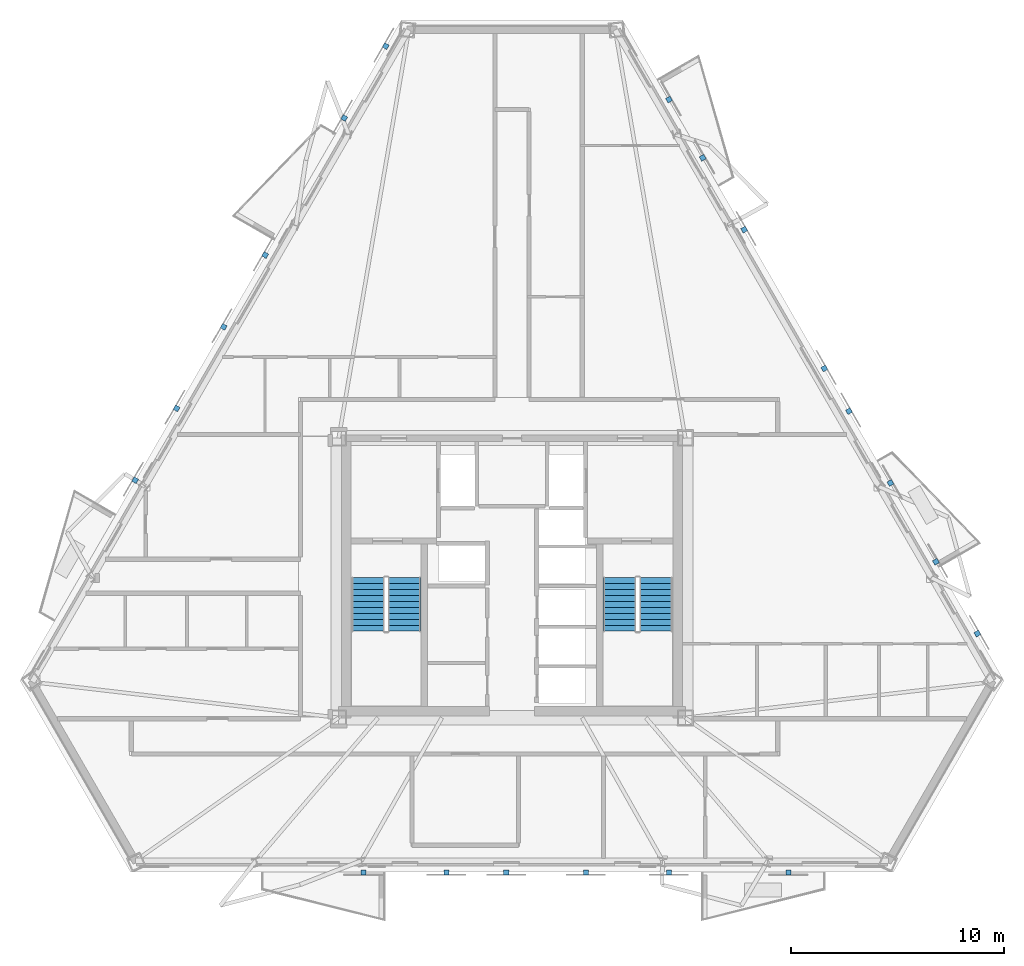
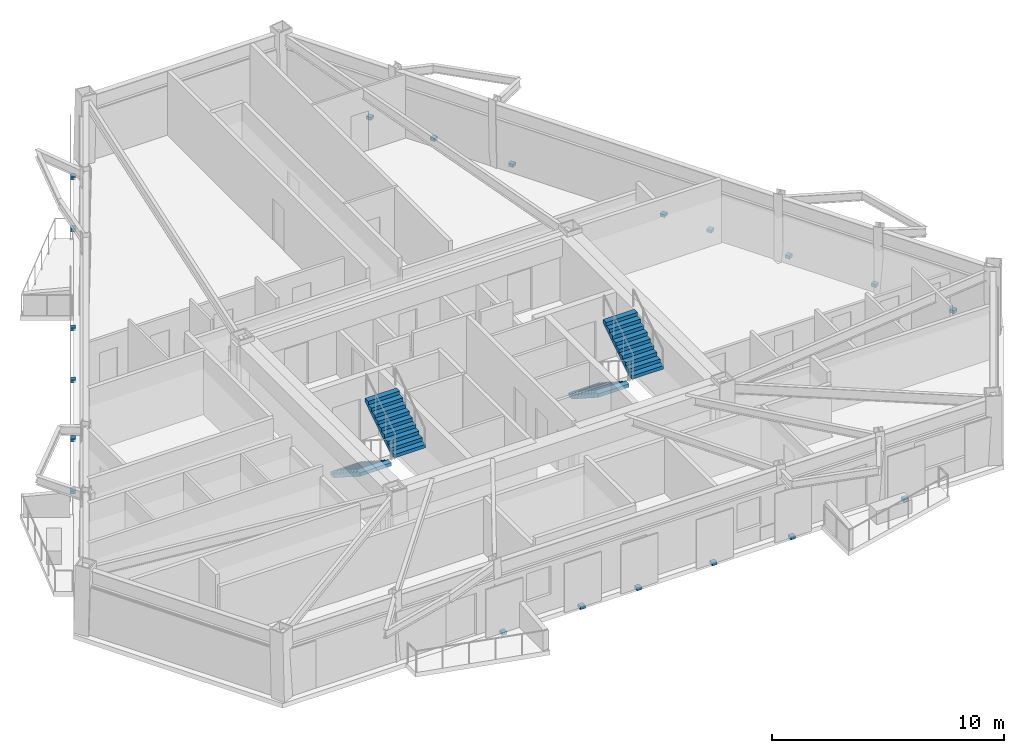
# One storey, part 6 of 9: 20 discrete accessories, 4 stair flights, 2 elements without a shape of their own.
"""IFC4 building model written with IfcOpenShell, lengths in metres."""

import ifcopenshell
import ifcopenshell.guid

model = None  # the IFC model being written
_history = None  # IfcOwnerHistory: only IFC2X3 demands one
_inside = {}  # id of a spatial element -> (the spatial element, [elements in it])
_under = {}  # id of a project, library or spatial element -> (it, [spatial elements below it])
_declared = {}  # id of a project -> (the project, [libraries it declares])
_typed = {}  # id of a type object -> (the type object, [elements of that type])
_made_of = {}  # id of a material, layer set ... -> (it, [elements and type objects made of it])


def new_model(schema):
    """Start an empty IFC model of exactly this schema.

    Asked for "IFC4X3", IfcOpenShell would pick the latest addendum, in which some entities
    have other attributes; the version numbers below select the first issue.
    IFC2X3 requires an IfcOwnerHistory on every rooted entity: one is made here for all.
    """
    global model, _history
    if schema == "IFC4X3":
        model = ifcopenshell.file(schema_version=(4, 3, 0, 0))
    else:
        model = ifcopenshell.file(schema=schema)
    _inside.clear()
    _under.clear()
    _declared.clear()
    _typed.clear()
    _made_of.clear()
    _history = None
    if model.schema == "IFC2X3":
        org = make("IfcOrganization", Name="unknown")
        user = make(
            "IfcPersonAndOrganization",
            ThePerson=make("IfcPerson", FamilyName="unknown"),
            TheOrganization=org,
        )
        app = make(
            "IfcApplication",
            ApplicationDeveloper=org,
            Version="unknown",
            ApplicationFullName="unknown",
            ApplicationIdentifier="unknown",
        )
        _history = make(
            "IfcOwnerHistory",
            OwningUser=user,
            OwningApplication=app,
            ChangeAction="ADDED",
            CreationDate=0,
        )
    return model


def make(cls, **values):
    """One entity of the class cls with the attributes given. An attribute that is None is left unset."""
    return model.create_entity(
        cls, **{name: value for name, value in values.items() if value is not None}
    )


def rooted(cls, **values):
    """An entity with a GlobalId (a new one), such as an element, a storey or a relation."""
    return make(cls, GlobalId=ifcopenshell.guid.new(), OwnerHistory=_history, **values)


def si_unit(unit_type, name, prefix=None):
    """IfcSIUnit, for example si_unit("LENGTHUNIT", "METRE", prefix="MILLI")."""
    return make("IfcSIUnit", UnitType=unit_type, Prefix=prefix, Name=name)


def assignment(units):
    """IfcUnitAssignment: the units of a project."""
    return None if units is None else make("IfcUnitAssignment", Units=units)


def point(xyz):
    """IfcCartesianPoint."""
    return None if xyz is None else make("IfcCartesianPoint", Coordinates=xyz)


def direction(xyz):
    """IfcDirection."""
    return None if xyz is None else make("IfcDirection", DirectionRatios=xyz)


def frame(location, z_axis=None, x_axis=None):
    """IfcAxis2Placement3D, a coordinate frame: its origin and axes. An axis left out is left unset."""
    return make(
        "IfcAxis2Placement3D",
        Location=point(location),
        Axis=direction(z_axis),
        RefDirection=direction(x_axis),
    )


def frame_2d(location, x_axis=None):
    """IfcAxis2Placement2D, a coordinate frame in the plane: its origin and x axis."""
    return make(
        "IfcAxis2Placement2D", Location=point(location), RefDirection=direction(x_axis)
    )


def origin():
    """The frame at (0, 0, 0) with its axes left unset."""
    return frame((0.0, 0.0, 0.0))


def origin_2d():
    """The frame at (0, 0) in the plane with its x axis left unset."""
    return frame_2d((0.0, 0.0))


def place(relative_to, where):
    """IfcLocalPlacement: puts the frame where relative to a parent placement (None: the world)."""
    return make(
        "IfcLocalPlacement", PlacementRelTo=relative_to, RelativePlacement=where
    )


def context(
    kind, dimensions, precision=None, world=None, true_north=None, identifier=None
):
    """IfcGeometricRepresentationContext, for example the 3D "Model" context."""
    return make(
        "IfcGeometricRepresentationContext",
        ContextIdentifier=identifier,
        ContextType=kind,
        CoordinateSpaceDimension=dimensions,
        Precision=precision,
        WorldCoordinateSystem=world,
        TrueNorth=true_north,
    )


def subcontext(parent, identifier, kind, view, scale=None):
    """IfcGeometricRepresentationSubContext, for example "Body" below "Model"."""
    return make(
        "IfcGeometricRepresentationSubContext",
        ContextIdentifier=identifier,
        ContextType=kind,
        ParentContext=parent,
        TargetScale=scale,
        TargetView=view,
    )


def project(units=None, contexts=None):
    """IfcProject with its units and contexts."""
    return rooted(
        "IfcProject",
        Name="project",
        RepresentationContexts=contexts,
        UnitsInContext=assignment(units),
    )


def spatial(cls, under=None, at=None, **own):
    """A site, building, storey or space (cls), placed at a placement, below another one or the project."""
    s = rooted(cls, ObjectPlacement=at, **own)
    if under is not None:
        _under.setdefault(under.id(), (under, []))[1].append(s)
    return s


def polyline(points):
    """IfcPolyline through the points."""
    return make("IfcPolyline", Points=[point(p) for p in points])


def profile(cls, at=None, kind="AREA", **sizes):
    """A parametric profile (cls). Its sizes go by their IFC names, for example OverallWidth=200.0."""
    return make(cls, ProfileType=kind, Position=at, **sizes)


def rectangle(**sizes):
    """IfcRectangleProfileDef."""
    return profile("IfcRectangleProfileDef", **sizes)


def outline(outer, holes=None, kind="AREA"):
    """IfcArbitraryClosedProfileDef: a profile drawn as a closed curve; with holes, ...WithVoids."""
    if holes is None:
        return make("IfcArbitraryClosedProfileDef", ProfileType=kind, OuterCurve=outer)
    return make(
        "IfcArbitraryProfileDefWithVoids",
        ProfileType=kind,
        OuterCurve=outer,
        InnerCurves=holes,
    )


def extrude(swept, where, along, depth):
    """IfcExtrudedAreaSolid: the profile swept, set in the frame where, extruded along a direction by depth."""
    return make(
        "IfcExtrudedAreaSolid",
        SweptArea=swept,
        Position=where,
        ExtrudedDirection=direction(along),
        Depth=depth,
    )


def shape(context_of_items, identifier, shape_type, items):
    """IfcShapeRepresentation: the items that make up one representation, for example the "Body"."""
    return make(
        "IfcShapeRepresentation",
        ContextOfItems=context_of_items,
        RepresentationIdentifier=identifier,
        RepresentationType=shape_type,
        Items=items,
    )


def material(Name=None, Category=None):
    """IfcMaterial."""
    return make("IfcMaterial", Name=Name, Category=Category)


def made_of(thing, what):
    """Note that an element or type object is made of a material, layer set ...; save() writes the relation."""
    if what is not None:
        _made_of.setdefault(what.id(), (what, []))[1].append(thing)
    return thing


def type_object(cls, material=None, **own):
    """A type object (cls), such as IfcWallType, which elements share."""
    return made_of(rooted(cls, **own), material)


def element(
    cls,
    number,
    at=None,
    inside=None,
    cuts=None,
    type_object=None,
    material=None,
    context=None,
    identifier="Body",
    shape_type=None,
    held_by="IfcProductDefinitionShape",
    body=None,
    shapes=None,
    **own,
):
    """One element of the class cls, such as IfcWall. Its Tag is "e" and its number.

    at: its placement. inside: the storey or other place that contains it. cuts: it is an
    opening in that element (IfcRelVoidsElement). A single representation is given by context,
    identifier, shape_type and body (its items); several are given by shapes. held_by: the class
    of the entity that holds the representations. save() writes the other relations.
    """
    e = rooted(cls, Tag="e%d" % number, ObjectPlacement=at, **own)
    if body is not None:
        shapes = [shape(context, identifier, shape_type, body)]
    if shapes is not None:
        e.Representation = make(held_by, Representations=shapes)
    if inside is not None:
        _inside.setdefault(inside.id(), (inside, []))[1].append(e)
    if cuts is not None:
        rooted(
            "IfcRelVoidsElement", RelatingBuildingElement=cuts, RelatedOpeningElement=e
        )
    if type_object is not None:
        _typed.setdefault(type_object.id(), (type_object, []))[1].append(e)
    return made_of(e, material)


def aggregate(whole, parts):
    """IfcRelAggregates: a whole, such as a stair, and the parts it consists of."""
    return rooted("IfcRelAggregates", RelatingObject=whole, RelatedObjects=parts)


def save(model, path):
    """Write the relations noted so far, then the file.

    IfcRelAggregates (storeys below a building ...), IfcRelContainedInSpatialStructure (elements
    in a storey), IfcRelDefinesByType, IfcRelAssociatesMaterial and IfcRelDeclares: one each for
    every whole, place, type object, material and project.
    """
    for whole, parts in _under.values():
        aggregate(whole, parts)
    for where, things in _inside.values():
        rooted(
            "IfcRelContainedInSpatialStructure",
            RelatedElements=things,
            RelatingStructure=where,
        )
    for kind, things in _typed.values():
        rooted("IfcRelDefinesByType", RelatedObjects=things, RelatingType=kind)
    for what, things in _made_of.values():
        rooted("IfcRelAssociatesMaterial", RelatedObjects=things, RelatingMaterial=what)
    for by, libraries in _declared.values():
        rooted("IfcRelDeclares", RelatingContext=by, RelatedDefinitions=libraries)
    model.write(path)


model = new_model("IFC4")

# Units and contexts
model_context = context("Model", 3, precision=1e-05, world=origin(), true_north=direction((0.0, 1.0)))
body_context = subcontext(model_context, "Body", "Model", "MODEL_VIEW")
ifc_project = project(units=[si_unit("LENGTHUNIT", "METRE"), si_unit("AREAUNIT", "SQUARE_METRE"), si_unit("VOLUMEUNIT", "CUBIC_METRE"), si_unit("PLANEANGLEUNIT", "RADIAN"), si_unit("MASSUNIT", "GRAM", prefix="KILO")], contexts=[model_context])

# Site, building, storey
site_placement = place(None, origin())
site = spatial("IfcSite", under=ifc_project, at=site_placement, CompositionType="ELEMENT")
building_placement = place(site_placement, origin())
building = spatial("IfcBuilding", under=site, at=building_placement, Name="Oramaril Tower", CompositionType="ELEMENT")
storey_placement = place(building_placement, frame((0.0, 0.0, 142.199951171875)))
storey = spatial("IfcBuildingStorey", under=building, at=storey_placement, Name="L37", CompositionType="ELEMENT", Elevation=142.199951171875)

# Stair, stair flights
ifc_material_1 = material(Name="Concrete C50/60", Category="concrete")
stair_type = type_object("IfcStairType", Name="STT-DG-3600", PredefinedType="HALF_TURN_STAIR", material=ifc_material_1)
stair_1_placement = place(storey_placement, origin())
stair_1 = element("IfcStair", 1, at=stair_1_placement, inside=storey, type_object=stair_type, Name="L37 Protected PFP Exit Stair ST-1", PredefinedType="HALF_TURN_STAIR")
ifc_material_2 = material(Name="Concrete C50/60", Category="concrete")
stair_flight_type = type_object("IfcStairFlightType", Name="SFT-DG-3600", PredefinedType="STRAIGHT", material=ifc_material_2)
stair_flight_1_placement = place(storey_placement, frame((30.72998046875, 17.590087890625, 0.0), z_axis=(0.0, 0.0, 1.0), x_axis=(0.0, -1.0, 0.0)))
stair_flight_1 = element("IfcStairFlight", 2, at=stair_flight_1_placement, type_object=stair_flight_type, Name="ST-1 flight 1", NumberOfRisers=10, NumberOfTreads=9, PredefinedType="STRAIGHT", RiserHeight=0.18, TreadLength=0.28, context=body_context, shape_type="SweptSolid", body=[
    extrude(outline(polyline([(0.0, 0.0), (0.0, 0.179931640625), (0.280029296875, 0.179931640625), (0.280029296875, 0.360107421875), (0.56005859375, 0.360107421875), (0.56005859375, 0.5400390625), (0.840087890625, 0.5400390625), (0.840087890625, 0.719970703125), (1.1201171875, 0.719970703125), (1.1201171875, 0.89990234375), (1.39990234375, 0.89990234375), (1.39990234375, 1.080078125), (1.679931640625, 1.080078125), (1.679931640625, 1.260009765625), (1.9599609375, 1.260009765625), (1.9599609375, 1.43994140625), (2.239990234375, 1.43994140625), (2.239990234375, 1.6201171875), (2.52001953125, 1.6201171875), (2.52001953125, 1.800048828125), (2.52001953125, 1.44189453125), (0.277099609375, 0.0), (0.0, 0.0)])), frame((0.0, 0.780029296875, 0.0), z_axis=(0.0, -1.0, 0.0), x_axis=(1.0, 0.0, 0.0)), (0.0, 0.0, 1.0), 1.56005859375),
])
stair_flight_2_placement = place(storey_placement, frame((32.43994140625, 15.070068359375, 1.800048828125), z_axis=(0.0, 0.0, 1.0), x_axis=(0.0, 1.0, 0.0)))
stair_flight_2 = element("IfcStairFlight", 3, at=stair_flight_2_placement, type_object=stair_flight_type, Name="ST-1 flight 2", NumberOfRisers=10, NumberOfTreads=9, PredefinedType="STRAIGHT", RiserHeight=0.18, TreadLength=0.28, context=body_context, shape_type="SweptSolid", body=[
    extrude(outline(polyline([(0.0, 0.0), (0.0, 0.179931640625), (0.280029296875, 0.179931640625), (0.280029296875, 0.360107421875), (0.56005859375, 0.360107421875), (0.56005859375, 0.5400390625), (0.840087890625, 0.5400390625), (0.840087890625, 0.719970703125), (1.1201171875, 0.719970703125), (1.1201171875, 0.89990234375), (1.39990234375, 0.89990234375), (1.39990234375, 1.080078125), (1.679931640625, 1.080078125), (1.679931640625, 1.260009765625), (1.9599609375, 1.260009765625), (1.9599609375, 1.43994140625), (2.239990234375, 1.43994140625), (2.239990234375, 1.6201171875), (2.52001953125, 1.6201171875), (2.52001953125, 1.800048828125), (2.52001953125, 1.44189453125), (0.277099609375, 0.0), (0.0, 0.0)])), frame((0.0, 0.780029296875, 0.0), z_axis=(0.0, -1.0, 0.0), x_axis=(1.0, 0.0, 0.0)), (0.0, 0.0, 1.0), 1.56005859375),
])
aggregate(stair_1, [stair_flight_1, stair_flight_2])

stair_2_placement = place(storey_placement, origin())
stair_2 = element("IfcStair", 4, at=stair_2_placement, inside=storey, type_object=stair_type, Name="L37 Protected PFP Exit Stair ST-2", PredefinedType="HALF_TURN_STAIR")
stair_flight_3_placement = place(storey_placement, frame((42.56005859375, 17.590087890625, 0.0), z_axis=(0.0, 0.0, 1.0), x_axis=(0.0, -1.0, 0.0)))
stair_flight_3 = element("IfcStairFlight", 5, at=stair_flight_3_placement, type_object=stair_flight_type, Name="ST-2 flight 1", NumberOfRisers=10, NumberOfTreads=9, PredefinedType="STRAIGHT", RiserHeight=0.18, TreadLength=0.28, context=body_context, shape_type="SweptSolid", body=[
    extrude(outline(polyline([(0.0, 0.0), (0.0, 0.179931640625), (0.280029296875, 0.179931640625), (0.280029296875, 0.360107421875), (0.56005859375, 0.360107421875), (0.56005859375, 0.5400390625), (0.840087890625, 0.5400390625), (0.840087890625, 0.719970703125), (1.1201171875, 0.719970703125), (1.1201171875, 0.89990234375), (1.39990234375, 0.89990234375), (1.39990234375, 1.080078125), (1.679931640625, 1.080078125), (1.679931640625, 1.260009765625), (1.9599609375, 1.260009765625), (1.9599609375, 1.43994140625), (2.239990234375, 1.43994140625), (2.239990234375, 1.6201171875), (2.52001953125, 1.6201171875), (2.52001953125, 1.800048828125), (2.52001953125, 1.44189453125), (0.277099609375, 0.0), (0.0, 0.0)])), frame((0.0, 0.780029296875, 0.0), z_axis=(0.0, -1.0, 0.0), x_axis=(1.0, 0.0, 0.0)), (0.0, 0.0, 1.0), 1.56005859375),
])
stair_flight_4_placement = place(storey_placement, frame((44.27001953125, 15.070068359375, 1.800048828125), z_axis=(0.0, 0.0, 1.0), x_axis=(0.0, 1.0, 0.0)))
stair_flight_4 = element("IfcStairFlight", 6, at=stair_flight_4_placement, type_object=stair_flight_type, Name="ST-2 flight 2", NumberOfRisers=10, NumberOfTreads=9, PredefinedType="STRAIGHT", RiserHeight=0.18, TreadLength=0.28, context=body_context, shape_type="SweptSolid", body=[
    extrude(outline(polyline([(0.0, 0.0), (0.0, 0.179931640625), (0.280029296875, 0.179931640625), (0.280029296875, 0.360107421875), (0.56005859375, 0.360107421875), (0.56005859375, 0.5400390625), (0.840087890625, 0.5400390625), (0.840087890625, 0.719970703125), (1.1201171875, 0.719970703125), (1.1201171875, 0.89990234375), (1.39990234375, 0.89990234375), (1.39990234375, 1.080078125), (1.679931640625, 1.080078125), (1.679931640625, 1.260009765625), (1.9599609375, 1.260009765625), (1.9599609375, 1.43994140625), (2.239990234375, 1.43994140625), (2.239990234375, 1.6201171875), (2.52001953125, 1.6201171875), (2.52001953125, 1.800048828125), (2.52001953125, 1.44189453125), (0.277099609375, 0.0), (0.0, 0.0)])), frame((0.0, 0.780029296875, 0.0), z_axis=(0.0, -1.0, 0.0), x_axis=(1.0, 0.0, 0.0)), (0.0, 0.0, 1.0), 1.56005859375),
])
aggregate(stair_2, [stair_flight_3, stair_flight_4])

# Discrete accessories
for number, where, z_axis, x_axis, name in (
    (7, (30.516357421875, 3.72021484375, -0.14013671875), (0.0, 0.0, 1.0), (1.0, 0.0, 0.0), "L37 Solar Screen Slab Bracket"),
    (8, (34.416259765625, 3.72021484375, -0.14013671875), (0.0, 0.0, 1.0), (1.0, 0.0, 0.0), "L37 Solar Screen Slab Bracket"),
    (9, (37.22998046875, 3.72021484375, -0.14013671875), (0.0, 0.0, 1.0), (1.0, 0.0, 0.0), "L37 Solar Screen Slab Bracket"),
    (10, (50.49609375, 3.72021484375, -0.14013671875), (0.0, 0.0, 1.0), (1.0, 0.0, 0.0), "L37 Solar Screen Slab Bracket"),
    (11, (40.973876953125, 3.72021484375, -0.14013671875), (0.0, 0.0, 1.0), (1.0, 0.0, 0.0), "L37 Solar Screen Slab Bracket"),
    (12, (44.873779296875, 3.72021484375, -0.14013671875), (0.0, 0.0, 1.0), (1.0, 0.0, 0.0), "L37 Solar Screen Slab Bracket"),
    (13, (59.3828125, 14.957275390625, -0.14013671875), (0.0, 0.0, 1.0), (-0.4999984885, 0.866026276448, 0.0), "L37 Solar Screen Slab Bracket"),
    (14, (57.432861328125, 18.334716796875, -0.14013671875), (0.0, 0.0, 1.0), (-0.4999984885, 0.866026276448, 0.0), "L37 Solar Screen Slab Bracket"),
    (15, (55.293701171875, 22.0400390625, -0.14013671875), (0.0, 0.0, 1.0), (-0.4999984885, 0.866026276448, 0.0), "L37 Solar Screen Slab Bracket"),
    (16, (53.34375, 25.41748046875, -0.14013671875), (0.0, 0.0, 1.0), (-0.4999984885, 0.866026276448, 0.0), "L37 Solar Screen Slab Bracket"),
    (17, (52.18505859375, 27.424560546875, -0.14013671875), (0.0, 0.0, 1.0), (-0.4999984885, 0.866026276448, 0.0), "L37 Solar Screen Slab Bracket"),
    (18, (48.416259765625, 33.9521484375, -0.14013671875), (0.0, 0.0, 1.0), (-0.4999984885, 0.866026276448, 0.0), "L37 Solar Screen Slab Bracket"),
    (19, (46.46630859375, 37.32958984375, -0.14013671875), (0.0, 0.0, 1.0), (-0.4999984885, 0.866026276448, 0.0), "L37 Solar Screen Slab Bracket"),
    (20, (44.884765625, 40.06884765625, -0.14013671875), (0.0, 0.0, 1.0), (-0.4999984885, 0.866026276448, 0.0), "L37 Solar Screen Slab Bracket"),
    (21, (21.73095703125, 25.546630859375, -0.14013671875), (0.0, 0.0, 1.0), (-0.4999984885, -0.866026276448, 0.0), "L37 Solar Screen Slab Bracket"),
    (22, (19.781005859375, 22.169189453125, -0.14013671875), (0.0, 0.0, 1.0), (-0.4999984885, -0.866026276448, 0.0), "L37 Solar Screen Slab Bracket"),
    (23, (31.564208984375, 42.578369140625, -0.14013671875), (0.0, 0.0, 1.0), (-0.4999984885, -0.866026276448, 0.0), "L37 Solar Screen Slab Bracket"),
    (24, (29.614013671875, 39.200927734375, -0.14013671875), (0.0, 0.0, 1.0), (-0.4999984885, -0.866026276448, 0.0), "L37 Solar Screen Slab Bracket"),
    (25, (25.8935546875, 32.7568359375, -0.14013671875), (0.0, 0.0, 1.0), (-0.4999984885, -0.866026276448, 0.0), "L37 Solar Screen Slab Bracket"),
    (26, (23.943603515625, 29.37939453125, -0.14013671875), (0.0, 0.0, 1.0), (-0.4999984885, -0.866026276448, 0.0), "L37 Solar Screen Slab Bracket"),
):
    element("IfcDiscreteAccessory", number, at=place(storey_placement, frame(where, z_axis=z_axis, x_axis=x_axis)), inside=storey, Name=name, PredefinedType="BRACKET", context=body_context, shape_type="SweptSolid", body=[
        extrude(rectangle(XDim=0.239990234375, YDim=0.239990234375, at=origin_2d()), origin(), (0.0, 0.0, 1.0), 0.159912109375),
    ])

save(model, "model.ifc")
